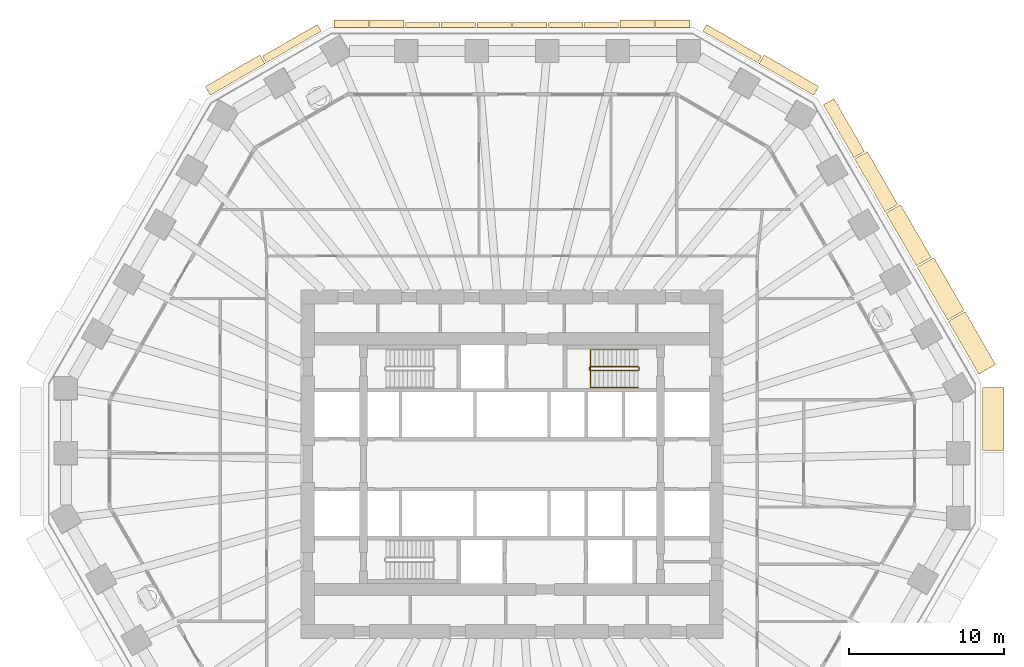
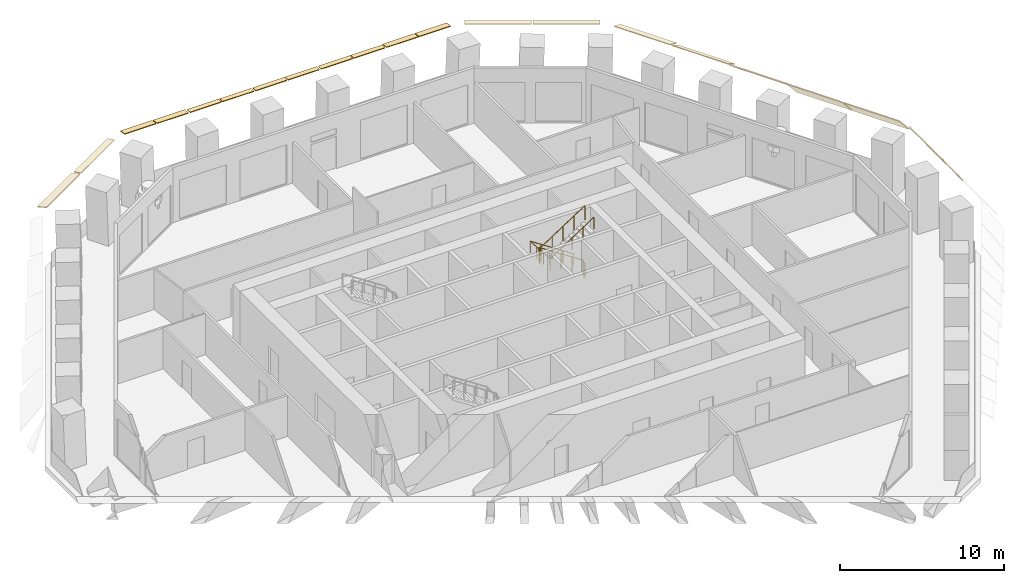
# One storey, part 11 of 13: 20 coverings, 2 railings.
"""IFC4 building model written with IfcOpenShell, lengths in metres."""

from ifc_helpers import new_model, si_unit, direction, frame, origin, origin_2d, place, context, subcontext, project, spatial, polyline, circle, outline, extrude, material, layer, layer_set, type_object, element, save


model = new_model("IFC4")

# Units and contexts
model_context = context("Model", 3, precision=1e-05, world=origin(), true_north=direction((0.0, 1.0)))
body_context = subcontext(model_context, "Body", "Model", "MODEL_VIEW")
ifc_project = project(units=[si_unit("LENGTHUNIT", "METRE"), si_unit("AREAUNIT", "SQUARE_METRE"), si_unit("VOLUMEUNIT", "CUBIC_METRE"), si_unit("PLANEANGLEUNIT", "RADIAN"), si_unit("MASSUNIT", "GRAM", prefix="KILO")], contexts=[model_context])

# Site, building, storey
site_placement = place(None, origin())
site = spatial("IfcSite", under=ifc_project, at=site_placement, CompositionType="ELEMENT")
building_placement = place(site_placement, origin())
building = spatial("IfcBuilding", under=site, at=building_placement, Name="Frailejon Research Tower", CompositionType="ELEMENT")
storey_placement = place(building_placement, frame((0.0, 0.0, 36.60009765625)))
storey = spatial("IfcBuildingStorey", under=building, at=storey_placement, Name="L08", CompositionType="ELEMENT", Elevation=36.60009765625)

# Coverings
ifc_material_1 = material(Name="Precast concrete C50/60", Category="concrete")
ifc_layer_1 = layer(ifc_material_1, 0.06005859375)
ifc_layer_set_1 = layer_set([ifc_layer_1], Name="Brim blade depth 1100")
covering_type_1 = type_object("IfcCoveringType", Name="Brim blade depth 1100", PredefinedType="CLADDING", material=ifc_layer_set_1)
covering_1_placement = place(storey_placement, frame((24.1552734375, 16.220947265625, 4.25), z_axis=(0.500009543026, -0.866019894046, 0.0), x_axis=(0.866019894046, 0.500009543026, 0.0)))
element("IfcCovering", 1, at=covering_1_placement, inside=storey, type_object=covering_type_1, Name="Brim blade L08", PredefinedType="CLADDING", context=body_context, shape_type="SweptSolid", body=[
    extrude(outline(polyline([(0.0, -0.078369140625), (1.10009765625, -1.001220703125), (1.10009765625, -0.923095703125), (0.0, 0.0), (0.0, -0.078369140625)])), origin(), (0.0, 0.0, 1.0), 3.940185546875),
])
ifc_material_2 = material(Name="Precast concrete C50/60", Category="concrete")
ifc_layer_2 = layer(ifc_material_2, 0.06005859375)
ifc_layer_set_2 = layer_set([ifc_layer_2], Name="Brim blade depth 1250")
covering_type_2 = type_object("IfcCoveringType", Name="Brim blade depth 1250", PredefinedType="CLADDING", material=ifc_layer_set_2)
covering_2_placement = place(storey_placement, frame((28.195556640625, 9.222900390625, 4.25), z_axis=(0.499998825824, -0.866026081694, 0.0), x_axis=(0.866026081694, 0.499998825824, 0.0)))
element("IfcCovering", 2, at=covering_2_placement, inside=storey, type_object=covering_type_2, Name="Brim blade L08", PredefinedType="CLADDING", context=body_context, shape_type="SweptSolid", body=[
    extrude(outline(polyline([(0.0, -0.0888671875), (1.25, -1.452880859375), (1.25, -1.364013671875), (0.0, 0.0), (0.0, -0.0888671875)])), origin(), (0.0, 0.0, 1.0), 3.9404296875),
])
covering_3_placement = place(storey_placement, frame((26.175537109375, 12.721923828125, 4.25), z_axis=(0.499990979749, -0.866030611566, 0.0), x_axis=(0.866030611566, 0.499990979749, 0.0)))
element("IfcCovering", 3, at=covering_3_placement, inside=storey, type_object=covering_type_2, Name="Brim blade L08", PredefinedType="CLADDING", context=body_context, shape_type="SweptSolid", body=[
    extrude(outline(polyline([(0.0, -0.0888671875), (1.25, -1.452880859375), (1.25, -1.364013671875), (0.0, 0.0), (0.0, -0.0888671875)])), origin(), (0.0, 0.0, 1.0), 3.940185546875),
])
ifc_material_3 = material(Name="Precast concrete C50/60", Category="concrete")
ifc_layer_3 = layer(ifc_material_3, 0.06005859375)
ifc_layer_set_3 = layer_set([ifc_layer_3], Name="Brim blade depth 1400")
covering_type_3 = type_object("IfcCoveringType", Name="Brim blade depth 1400", PredefinedType="CLADDING", material=ifc_layer_set_3)
covering_4_placement = place(storey_placement, frame((30.391845703125, 4.96728515625, 4.25), z_axis=(0.0, -1.0, 0.0), x_axis=(1.0, 0.0, 0.0)))
element("IfcCovering", 4, at=covering_4_placement, inside=storey, type_object=covering_type_3, Name="Brim blade L08", PredefinedType="CLADDING", context=body_context, shape_type="SweptSolid", body=[
    extrude(outline(polyline([(0.0, -0.1044921875), (1.39990234375, -2.10400390625), (1.39990234375, -1.99951171875), (0.0, 0.0), (0.0, -0.1044921875)])), origin(), (0.0, 0.0, 1.0), 4.08740234375),
])
ifc_material_4 = material(Name="Precast concrete C50/60", Category="concrete")
ifc_layer_4 = layer(ifc_material_4, 0.06005859375)
ifc_layer_set_4 = layer_set([ifc_layer_4], Name="Brim blade depth 350")
covering_type_4 = type_object("IfcCoveringType", Name="Brim blade depth 350", PredefinedType="CLADDING", material=ifc_layer_set_4)
for number, where, z_axis, x_axis, name in (
    (5, (4.64501953125, 28.199951171875, 4.25), (1.0, 0.0, 0.0), (0.0, 1.0, 0.0), "Brim blade L08"),
    (6, (2.357666015625, 28.199951171875, 4.25), (1.0, 0.0, 0.0), (0.0, 1.0, 0.0), "Brim blade L08"),
    (7, (0.030029296875, 28.199951171875, 4.25), (1.0, 0.0, 0.0), (0.0, 1.0, 0.0), "Brim blade L08"),
    (8, (-2.257568359375, 28.199951171875, 4.25), (1.0, 0.0, 0.0), (0.0, 1.0, 0.0), "Brim blade L08"),
    (9, (-4.585205078125, 28.199951171875, 4.25), (1.0, 0.0, 0.0), (0.0, 1.0, 0.0), "Brim blade L08"),
    (10, (-6.872802734375, 28.199951171875, 4.25), (1.0, 0.0, 0.0), (0.0, 1.0, 0.0), "Brim blade L08"),
):
    element("IfcCovering", number, at=place(storey_placement, frame(where, z_axis=z_axis, x_axis=x_axis)), inside=storey, type_object=covering_type_4, Name=name, PredefinedType="CLADDING", context=body_context, shape_type="SweptSolid", body=[
        extrude(outline(polyline([(0.0, -0.06005859375), (0.35009765625, -0.06005859375), (0.35009765625, 0.0), (0.0, 0.0), (0.0, -0.06005859375)])), origin(), (0.0, 0.0, 1.0), 2.2275390625),
    ])
ifc_material_5 = material(Name="Precast concrete C50/60", Category="concrete")
ifc_layer_5 = layer(ifc_material_5, 0.06005859375)
ifc_layer_set_5 = layer_set([ifc_layer_5], Name="Brim blade depth 500")
covering_type_5 = type_object("IfcCoveringType", Name="Brim blade depth 500", PredefinedType="CLADDING", material=ifc_layer_set_5)
covering_5_placement = place(storey_placement, frame((12.331298828125, 27.97412109375, 4.25), z_axis=(0.866021344981, -0.500007029989, 0.0), x_axis=(0.500007029989, 0.866021344981, 0.0)))
element("IfcCovering", 11, at=covering_5_placement, inside=storey, type_object=covering_type_5, Name="Brim blade L08", PredefinedType="CLADDING", context=body_context, shape_type="SweptSolid", body=[
    extrude(outline(polyline([(0.0, -0.060546875), (0.5, -0.130859375), (0.5, -0.0703125), (0.0, 0.0), (0.0, -0.060546875)])), origin(), (0.0, 0.0, 1.0), 4.08740234375),
])
for number, where, z_axis, x_axis, name in (
    (12, (9.26025390625, 28.199951171875, 4.25), (1.0, 0.0, 0.0), (0.0, 1.0, 0.0), "Brim blade L08"),
    (13, (6.97265625, 28.199951171875, 4.25), (1.0, 0.0, 0.0), (0.0, 1.0, 0.0), "Brim blade L08"),
    (14, (-9.2001953125, 28.199951171875, 4.25), (1.0, 0.0, 0.0), (0.0, 1.0, 0.0), "Brim blade L08"),
    (15, (-11.48779296875, 28.199951171875, 4.25), (1.0, 0.0, 0.0), (0.0, 1.0, 0.0), "Brim blade L08"),
):
    element("IfcCovering", number, at=place(storey_placement, frame(where, z_axis=z_axis, x_axis=x_axis)), inside=storey, type_object=covering_type_5, Name=name, PredefinedType="CLADDING", context=body_context, shape_type="SweptSolid", body=[
        extrude(outline(polyline([(0.0, -0.060546875), (0.5, -0.130859375), (0.5, -0.0703125), (0.0, 0.0), (0.0, -0.060546875)])), origin(), (0.0, 0.0, 1.0), 2.2275390625),
    ])
covering_6_placement = place(storey_placement, frame((-15.87109375, 25.93017578125, 4.25), z_axis=(0.866021344981, 0.500007029989, 0.0), x_axis=(-0.500007029989, 0.866021344981, 0.0)))
element("IfcCovering", 16, at=covering_6_placement, inside=storey, type_object=covering_type_5, Name="Brim blade L08", PredefinedType="CLADDING", context=body_context, shape_type="SweptSolid", body=[
    extrude(outline(polyline([(0.0, -0.060546875), (0.5, -0.130859375), (0.5, -0.0703125), (0.0, 0.0), (0.0, -0.060546875)])), origin(), (0.0, 0.0, 1.0), 4.08740234375),
])
ifc_material_6 = material(Name="Precast concrete C50/60", Category="concrete")
ifc_layer_6 = layer(ifc_material_6, 0.06005859375)
ifc_layer_set_6 = layer_set([ifc_layer_6], Name="Brim blade depth 650")
covering_type_6 = type_object("IfcCoveringType", Name="Brim blade depth 650", PredefinedType="CLADDING", material=ifc_layer_set_6)
for number, where, z_axis, x_axis, name in (
    (17, (15.957763671875, 25.880126953125, 4.25), (0.866021344981, -0.500007029989, 0.0), (0.500007029989, 0.866021344981, 0.0), "Brim blade L08"),
    (18, (-19.49755859375, 23.83642578125, 4.25), (0.866021344981, 0.500007029989, 0.0), (-0.500007029989, 0.866021344981, 0.0), "Brim blade L08"),
):
    element("IfcCovering", number, at=place(storey_placement, frame(where, z_axis=z_axis, x_axis=x_axis)), inside=storey, type_object=covering_type_6, Name=name, PredefinedType="CLADDING", context=body_context, shape_type="SweptSolid", body=[
        extrude(outline(polyline([(0.0, -0.0625), (0.64990234375, -0.248779296875), (0.64990234375, -0.186279296875), (0.0, 0.0), (0.0, -0.0625)])), origin(), (0.0, 0.0, 1.0), 4.08740234375),
    ])
ifc_material_7 = material(Name="Precast concrete C50/60", Category="concrete")
ifc_layer_7 = layer(ifc_material_7, 0.06005859375)
ifc_layer_set_7 = layer_set([ifc_layer_7], Name="Brim blade depth 800")
covering_type_7 = type_object("IfcCoveringType", Name="Brim blade depth 800", PredefinedType="CLADDING", material=ifc_layer_set_7)
covering_7_placement = place(storey_placement, frame((20.114990234375, 23.218994140625, 4.25), z_axis=(0.500009543026, -0.866019894046, 0.0), x_axis=(0.866019894046, 0.500009543026, 0.0)))
element("IfcCovering", 19, at=covering_7_placement, inside=storey, type_object=covering_type_7, Name="Brim blade L08", PredefinedType="CLADDING", context=body_context, shape_type="SweptSolid", body=[
    extrude(outline(polyline([(0.0, -0.065673828125), (0.800048828125, -0.421875), (0.800048828125, -0.356201171875), (0.0, 0.0), (0.0, -0.065673828125)])), origin(), (0.0, 0.0, 1.0), 3.940185546875),
])
ifc_material_8 = material(Name="Precast concrete C50/60", Category="concrete")
ifc_layer_8 = layer(ifc_material_8, 0.06005859375)
ifc_layer_set_8 = layer_set([ifc_layer_8], Name="Brim blade depth 950")
covering_type_8 = type_object("IfcCoveringType", Name="Brim blade depth 950", PredefinedType="CLADDING", material=ifc_layer_set_8)
covering_8_placement = place(storey_placement, frame((22.135009765625, 19.72021484375, 4.25), z_axis=(0.499998825824, -0.866026081694, 0.0), x_axis=(0.866026081694, 0.499998825824, 0.0)))
element("IfcCovering", 20, at=covering_8_placement, inside=storey, type_object=covering_type_8, Name="Brim blade L08", PredefinedType="CLADDING", context=body_context, shape_type="SweptSolid", body=[
    extrude(outline(polyline([(0.0, -0.07080078125), (0.949951171875, -0.664306640625), (0.949951171875, -0.593505859375), (0.0, 0.0), (0.0, -0.07080078125)])), origin(), (0.0, 0.0, 1.0), 3.9404296875),
])

# Railings
ifc_material_9 = material(Name="Stainless steel", Category="steel")
railing_type_1 = type_object("IfcRailingType", Name="Stair guard 1100", PredefinedType="GUARDRAIL", material=ifc_material_9)
railing_1_placement = place(storey_placement, frame((8.199951171875, 6.10009765625, 0.0)))
element("IfcRailing", 21, at=railing_1_placement, inside=storey, type_object=railing_type_1, Name="L08 ST3 stair guard 1", PredefinedType="GUARDRAIL", context=body_context, shape_type="SweptSolid", body=[
    extrude(circle(Radius=0.02392578125, at=origin_2d()), frame((0.0, 0.0, 1.076171875), z_axis=(0.0, 1.0, 0.0), x_axis=(-1.0, 0.0, 0.0)), (0.0, 0.0, 1.0), 0.14990234375),
    extrude(circle(Radius=0.02392578125, at=origin_2d()), frame((0.0, 0.14990234375, 1.076171875), z_axis=(-0.254653276557, 0.254653276557, 0.932900539971), x_axis=(-0.707106781187, -0.707106781187, 0.0)), (0.0, 0.0, 1.0), 0.196533203125),
    extrude(circle(Radius=0.02392578125, at=origin_2d()), frame((-0.050048828125, 0.199951171875, 1.25927734375), z_axis=(-0.836613101238, 0.0, 0.547794230379), x_axis=(0.0, -1.0, 0.0)), (0.0, 0.0, 1.0), 3.681396484375),
    extrude(circle(Radius=0.02392578125, at=origin_2d()), frame((-3.1298828125, 0.199951171875, 3.27587890625), z_axis=(-0.707106781187, -0.707106781187, 0.0), x_axis=(0.707106781187, -0.707106781187, 0.0)), (0.0, 0.0, 1.0), 0.07080078125),
    extrude(circle(Radius=0.02392578125, at=origin_2d()), frame((-3.179931640625, 0.14990234375, 3.27587890625), z_axis=(0.0, -1.0, 0.0), x_axis=(1.0, 0.0, 0.0)), (0.0, 0.0, 1.0), 0.14990234375),
    extrude(circle(Radius=0.02392578125, at=origin_2d()), frame((-3.179931640625, 0.0, 3.27587890625), z_axis=(0.254653276557, -0.254653276557, 0.932900539971), x_axis=(0.707106781187, 0.707106781187, 0.0)), (0.0, 0.0, 1.0), 0.196533203125),
    extrude(circle(Radius=0.02392578125, at=origin_2d()), frame((-3.1298828125, -0.050048828125, 3.45947265625), z_axis=(0.836613101238, 0.0, 0.547794230379), x_axis=(0.0, 1.0, 0.0)), (0.0, 0.0, 1.0), 3.681396484375),
    extrude(circle(Radius=0.02099609375, at=origin_2d()), origin(), (0.0, 0.0, 1.0), 1.052001953125),
    extrude(circle(Radius=0.02099609375, at=origin_2d()), frame((0.0, 0.14990234375, 0.0)), (0.0, 0.0, 1.0), 1.052001953125),
    extrude(circle(Radius=0.02099609375, at=origin_2d()), frame((-0.050048828125, 0.199951171875, 0.183349609375)), (0.0, 0.0, 1.0), 1.052001953125),
    extrude(circle(Radius=0.02099609375, at=origin_2d()), frame((-0.820068359375, 0.199951171875, 0.6875)), (0.0, 0.0, 1.0), 1.052001953125),
    extrude(circle(Radius=0.02099609375, at=origin_2d()), frame((-1.58984375, 0.199951171875, 1.191650390625)), (0.0, 0.0, 1.0), 1.052001953125),
    extrude(circle(Radius=0.02099609375, at=origin_2d()), frame((-2.35986328125, 0.199951171875, 1.69580078125)), (0.0, 0.0, 1.0), 1.052001953125),
    extrude(circle(Radius=0.02099609375, at=origin_2d()), frame((-3.1298828125, 0.199951171875, 2.199951171875)), (0.0, 0.0, 1.0), 1.052001953125),
    extrude(circle(Radius=0.02099609375, at=origin_2d()), frame((-3.179931640625, 0.14990234375, 2.199951171875)), (0.0, 0.0, 1.0), 1.052001953125),
    extrude(circle(Radius=0.02099609375, at=origin_2d()), frame((-3.179931640625, 0.0, 2.199951171875)), (0.0, 0.0, 1.0), 1.052001953125),
    extrude(circle(Radius=0.02099609375, at=origin_2d()), frame((-3.1298828125, -0.050048828125, 2.38330078125)), (0.0, 0.0, 1.0), 1.052001953125),
    extrude(circle(Radius=0.02099609375, at=origin_2d()), frame((-2.35986328125, -0.050048828125, 2.887451171875)), (0.0, 0.0, 1.0), 1.052001953125),
    extrude(circle(Radius=0.02099609375, at=origin_2d()), frame((-1.58984375, -0.050048828125, 3.3916015625)), (0.0, 0.0, 1.0), 1.052001953125),
    extrude(circle(Radius=0.02099609375, at=origin_2d()), frame((-0.820068359375, -0.050048828125, 3.895751953125)), (0.0, 0.0, 1.0), 1.052001953125),
    extrude(circle(Radius=0.02099609375, at=origin_2d()), frame((-0.050048828125, -0.050048828125, 4.39990234375)), (0.0, 0.0, 1.0), 1.052001953125),
])
ifc_material_10 = material(Name="Stainless steel", Category="steel")
railing_type_2 = type_object("IfcRailingType", Name="Stair handrail 900", PredefinedType="HANDRAIL", material=ifc_material_10)
railing_2_placement = place(storey_placement, frame((8.14990234375, 7.39990234375, 0.183349609375)))
element("IfcRailing", 22, at=railing_2_placement, inside=storey, type_object=railing_type_2, Name="L08 ST3 stair handrail 1", PredefinedType="HANDRAIL", context=body_context, shape_type="SweptSolid", body=[
    extrude(circle(Radius=0.02392578125, at=origin_2d()), frame((0.0, 0.0, 0.8759765625), z_axis=(-0.836613101238, 0.0, 0.547794230379), x_axis=(0.0, -1.0, 0.0)), (0.0, 0.0, 1.0), 3.681396484375),
    extrude(circle(Radius=0.02392578125, at=origin_2d()), frame((-3.079833984375, 0.0, 2.892578125), z_axis=(0.0, -0.99721134034, 0.074629368868), x_axis=(1.0, 0.0, 0.0)), (0.0, 0.0, 1.0), 2.456787109375),
    extrude(circle(Radius=0.02392578125, at=origin_2d()), frame((-3.079833984375, -2.449951171875, 3.07568359375), z_axis=(0.836613101238, 0.0, 0.547794230379), x_axis=(0.0, 1.0, 0.0)), (0.0, 0.0, 1.0), 3.681396484375),
    extrude(circle(Radius=0.02099609375, at=origin_2d()), origin(), (0.0, 0.0, 1.0), 0.851806640625),
    extrude(circle(Radius=0.02099609375, at=origin_2d()), frame((-0.77001953125, 0.0, 0.504150390625)), (0.0, 0.0, 1.0), 0.851806640625),
    extrude(circle(Radius=0.02099609375, at=origin_2d()), frame((-1.5400390625, 0.0, 1.00830078125)), (0.0, 0.0, 1.0), 0.851806640625),
    extrude(circle(Radius=0.02099609375, at=origin_2d()), frame((-2.309814453125, 0.0, 1.512451171875)), (0.0, 0.0, 1.0), 0.851806640625),
    extrude(circle(Radius=0.02099609375, at=origin_2d()), frame((-3.079833984375, 0.0, 2.0166015625)), (0.0, 0.0, 1.0), 0.851806640625),
    extrude(circle(Radius=0.02099609375, at=origin_2d()), frame((-3.079833984375, -0.816650390625, 2.07763671875)), (0.0, 0.0, 1.0), 0.851806640625),
    extrude(circle(Radius=0.02099609375, at=origin_2d()), frame((-3.079833984375, -1.63330078125, 2.138916015625)), (0.0, 0.0, 1.0), 0.851806640625),
    extrude(circle(Radius=0.02099609375, at=origin_2d()), frame((-3.079833984375, -2.449951171875, 2.199951171875)), (0.0, 0.0, 1.0), 0.851806640625),
    extrude(circle(Radius=0.02099609375, at=origin_2d()), frame((-2.309814453125, -2.449951171875, 2.7041015625)), (0.0, 0.0, 1.0), 0.851806640625),
    extrude(circle(Radius=0.02099609375, at=origin_2d()), frame((-1.5400390625, -2.449951171875, 3.208251953125)), (0.0, 0.0, 1.0), 0.851806640625),
    extrude(circle(Radius=0.02099609375, at=origin_2d()), frame((-0.77001953125, -2.449951171875, 3.71240234375)), (0.0, 0.0, 1.0), 0.851806640625),
    extrude(circle(Radius=0.02099609375, at=origin_2d()), frame((0.0, -2.449951171875, 4.216552734375)), (0.0, 0.0, 1.0), 0.851806640625),
])

save(model, "model.ifc")
